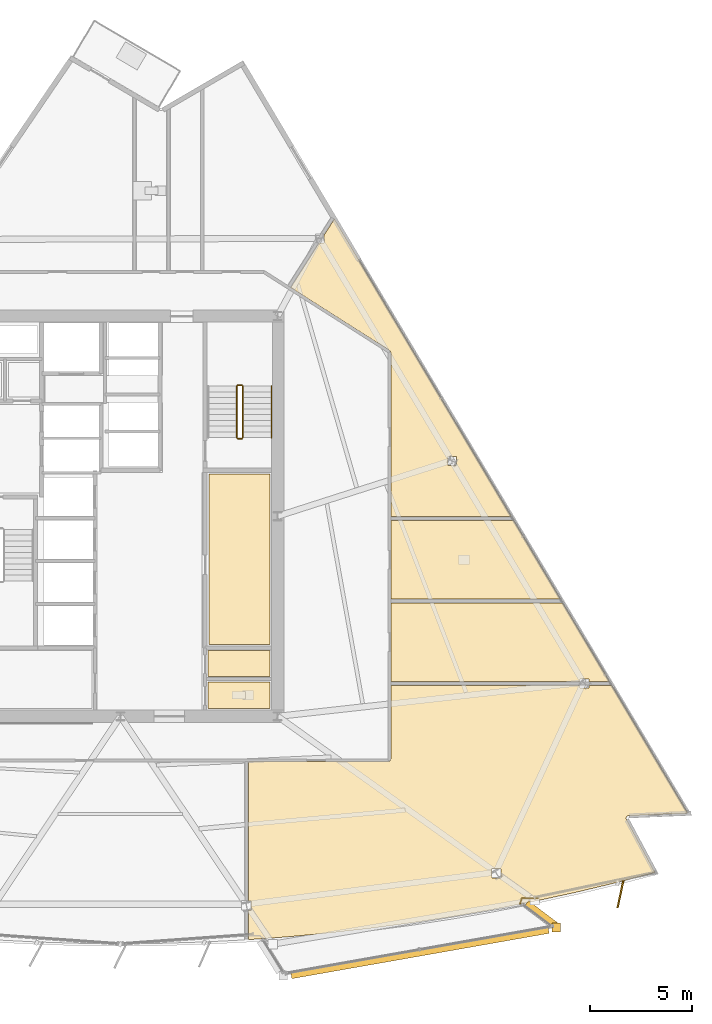
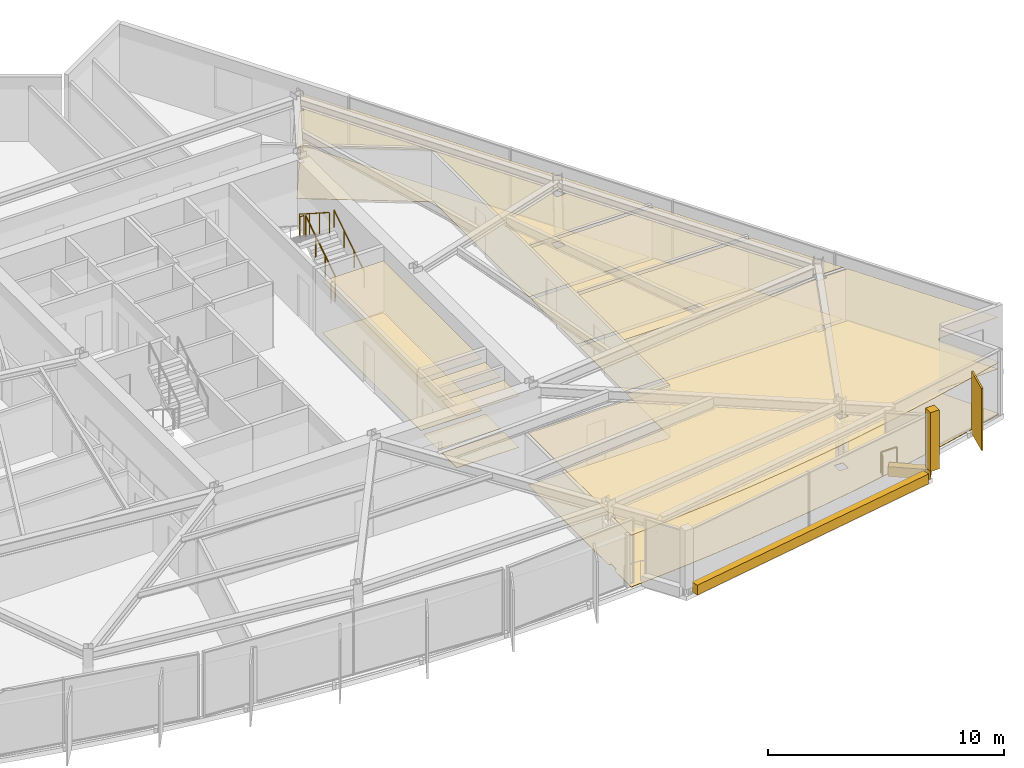
# One storey, part 13 of 15: 17 coverings, 6 railings, 1 shading device.
"""IFC4 building model written with IfcOpenShell, lengths in metres."""

import ifcopenshell
import ifcopenshell.guid

model = None  # the IFC model being written
_history = None  # IfcOwnerHistory: only IFC2X3 demands one
_inside = {}  # id of a spatial element -> (the spatial element, [elements in it])
_under = {}  # id of a project, library or spatial element -> (it, [spatial elements below it])
_declared = {}  # id of a project -> (the project, [libraries it declares])
_typed = {}  # id of a type object -> (the type object, [elements of that type])
_made_of = {}  # id of a material, layer set ... -> (it, [elements and type objects made of it])


def new_model(schema):
    """Start an empty IFC model of exactly this schema.

    Asked for "IFC4X3", IfcOpenShell would pick the latest addendum, in which some entities
    have other attributes; the version numbers below select the first issue.
    IFC2X3 requires an IfcOwnerHistory on every rooted entity: one is made here for all.
    """
    global model, _history
    if schema == "IFC4X3":
        model = ifcopenshell.file(schema_version=(4, 3, 0, 0))
    else:
        model = ifcopenshell.file(schema=schema)
    _inside.clear()
    _under.clear()
    _declared.clear()
    _typed.clear()
    _made_of.clear()
    _history = None
    if model.schema == "IFC2X3":
        org = make("IfcOrganization", Name="unknown")
        user = make(
            "IfcPersonAndOrganization",
            ThePerson=make("IfcPerson", FamilyName="unknown"),
            TheOrganization=org,
        )
        app = make(
            "IfcApplication",
            ApplicationDeveloper=org,
            Version="unknown",
            ApplicationFullName="unknown",
            ApplicationIdentifier="unknown",
        )
        _history = make(
            "IfcOwnerHistory",
            OwningUser=user,
            OwningApplication=app,
            ChangeAction="ADDED",
            CreationDate=0,
        )
    return model


def make(cls, **values):
    """One entity of the class cls with the attributes given. An attribute that is None is left unset."""
    return model.create_entity(
        cls, **{name: value for name, value in values.items() if value is not None}
    )


def rooted(cls, **values):
    """An entity with a GlobalId (a new one), such as an element, a storey or a relation."""
    return make(cls, GlobalId=ifcopenshell.guid.new(), OwnerHistory=_history, **values)


def si_unit(unit_type, name, prefix=None):
    """IfcSIUnit, for example si_unit("LENGTHUNIT", "METRE", prefix="MILLI")."""
    return make("IfcSIUnit", UnitType=unit_type, Prefix=prefix, Name=name)


def assignment(units):
    """IfcUnitAssignment: the units of a project."""
    return None if units is None else make("IfcUnitAssignment", Units=units)


def point(xyz):
    """IfcCartesianPoint."""
    return None if xyz is None else make("IfcCartesianPoint", Coordinates=xyz)


def direction(xyz):
    """IfcDirection."""
    return None if xyz is None else make("IfcDirection", DirectionRatios=xyz)


def frame(location, z_axis=None, x_axis=None):
    """IfcAxis2Placement3D, a coordinate frame: its origin and axes. An axis left out is left unset."""
    return make(
        "IfcAxis2Placement3D",
        Location=point(location),
        Axis=direction(z_axis),
        RefDirection=direction(x_axis),
    )


def frame_2d(location, x_axis=None):
    """IfcAxis2Placement2D, a coordinate frame in the plane: its origin and x axis."""
    return make(
        "IfcAxis2Placement2D", Location=point(location), RefDirection=direction(x_axis)
    )


def origin():
    """The frame at (0, 0, 0) with its axes left unset."""
    return frame((0.0, 0.0, 0.0))


def origin_2d():
    """The frame at (0, 0) in the plane with its x axis left unset."""
    return frame_2d((0.0, 0.0))


def place(relative_to, where):
    """IfcLocalPlacement: puts the frame where relative to a parent placement (None: the world)."""
    return make(
        "IfcLocalPlacement", PlacementRelTo=relative_to, RelativePlacement=where
    )


def context(
    kind, dimensions, precision=None, world=None, true_north=None, identifier=None
):
    """IfcGeometricRepresentationContext, for example the 3D "Model" context."""
    return make(
        "IfcGeometricRepresentationContext",
        ContextIdentifier=identifier,
        ContextType=kind,
        CoordinateSpaceDimension=dimensions,
        Precision=precision,
        WorldCoordinateSystem=world,
        TrueNorth=true_north,
    )


def subcontext(parent, identifier, kind, view, scale=None):
    """IfcGeometricRepresentationSubContext, for example "Body" below "Model"."""
    return make(
        "IfcGeometricRepresentationSubContext",
        ContextIdentifier=identifier,
        ContextType=kind,
        ParentContext=parent,
        TargetScale=scale,
        TargetView=view,
    )


def project(units=None, contexts=None):
    """IfcProject with its units and contexts."""
    return rooted(
        "IfcProject",
        Name="project",
        RepresentationContexts=contexts,
        UnitsInContext=assignment(units),
    )


def spatial(cls, under=None, at=None, **own):
    """A site, building, storey or space (cls), placed at a placement, below another one or the project."""
    s = rooted(cls, ObjectPlacement=at, **own)
    if under is not None:
        _under.setdefault(under.id(), (under, []))[1].append(s)
    return s


def polyline(points):
    """IfcPolyline through the points."""
    return make("IfcPolyline", Points=[point(p) for p in points])


def profile(cls, at=None, kind="AREA", **sizes):
    """A parametric profile (cls). Its sizes go by their IFC names, for example OverallWidth=200.0."""
    return make(cls, ProfileType=kind, Position=at, **sizes)


def rectangle(**sizes):
    """IfcRectangleProfileDef."""
    return profile("IfcRectangleProfileDef", **sizes)


def circle(**sizes):
    """IfcCircleProfileDef."""
    return profile("IfcCircleProfileDef", **sizes)


def outline(outer, holes=None, kind="AREA"):
    """IfcArbitraryClosedProfileDef: a profile drawn as a closed curve; with holes, ...WithVoids."""
    if holes is None:
        return make("IfcArbitraryClosedProfileDef", ProfileType=kind, OuterCurve=outer)
    return make(
        "IfcArbitraryProfileDefWithVoids",
        ProfileType=kind,
        OuterCurve=outer,
        InnerCurves=holes,
    )


def extrude(swept, where, along, depth):
    """IfcExtrudedAreaSolid: the profile swept, set in the frame where, extruded along a direction by depth."""
    return make(
        "IfcExtrudedAreaSolid",
        SweptArea=swept,
        Position=where,
        ExtrudedDirection=direction(along),
        Depth=depth,
    )


def shape(context_of_items, identifier, shape_type, items):
    """IfcShapeRepresentation: the items that make up one representation, for example the "Body"."""
    return make(
        "IfcShapeRepresentation",
        ContextOfItems=context_of_items,
        RepresentationIdentifier=identifier,
        RepresentationType=shape_type,
        Items=items,
    )


def material(Name=None, Category=None):
    """IfcMaterial."""
    return make("IfcMaterial", Name=Name, Category=Category)


def layer(
    of_material, thickness, ventilated=None, Name=None, Category=None, Priority=None
):
    """IfcMaterialLayer: one layer of a wall or slab, of a material (None: an air gap)."""
    return make(
        "IfcMaterialLayer",
        Material=of_material,
        LayerThickness=thickness,
        IsVentilated=ventilated,
        Name=Name,
        Category=Category,
        Priority=Priority,
    )


def layer_set(layers, Name=None):
    """IfcMaterialLayerSet."""
    return make("IfcMaterialLayerSet", MaterialLayers=layers, LayerSetName=Name)


def made_of(thing, what):
    """Note that an element or type object is made of a material, layer set ...; save() writes the relation."""
    if what is not None:
        _made_of.setdefault(what.id(), (what, []))[1].append(thing)
    return thing


def type_object(cls, material=None, **own):
    """A type object (cls), such as IfcWallType, which elements share."""
    return made_of(rooted(cls, **own), material)


def element(
    cls,
    number,
    at=None,
    inside=None,
    cuts=None,
    type_object=None,
    material=None,
    context=None,
    identifier="Body",
    shape_type=None,
    held_by="IfcProductDefinitionShape",
    body=None,
    shapes=None,
    **own,
):
    """One element of the class cls, such as IfcWall. Its Tag is "e" and its number.

    at: its placement. inside: the storey or other place that contains it. cuts: it is an
    opening in that element (IfcRelVoidsElement). A single representation is given by context,
    identifier, shape_type and body (its items); several are given by shapes. held_by: the class
    of the entity that holds the representations. save() writes the other relations.
    """
    e = rooted(cls, Tag="e%d" % number, ObjectPlacement=at, **own)
    if body is not None:
        shapes = [shape(context, identifier, shape_type, body)]
    if shapes is not None:
        e.Representation = make(held_by, Representations=shapes)
    if inside is not None:
        _inside.setdefault(inside.id(), (inside, []))[1].append(e)
    if cuts is not None:
        rooted(
            "IfcRelVoidsElement", RelatingBuildingElement=cuts, RelatedOpeningElement=e
        )
    if type_object is not None:
        _typed.setdefault(type_object.id(), (type_object, []))[1].append(e)
    return made_of(e, material)


def aggregate(whole, parts):
    """IfcRelAggregates: a whole, such as a stair, and the parts it consists of."""
    return rooted("IfcRelAggregates", RelatingObject=whole, RelatedObjects=parts)


def save(model, path):
    """Write the relations noted so far, then the file.

    IfcRelAggregates (storeys below a building ...), IfcRelContainedInSpatialStructure (elements
    in a storey), IfcRelDefinesByType, IfcRelAssociatesMaterial and IfcRelDeclares: one each for
    every whole, place, type object, material and project.
    """
    for whole, parts in _under.values():
        aggregate(whole, parts)
    for where, things in _inside.values():
        rooted(
            "IfcRelContainedInSpatialStructure",
            RelatedElements=things,
            RelatingStructure=where,
        )
    for kind, things in _typed.values():
        rooted("IfcRelDefinesByType", RelatedObjects=things, RelatingType=kind)
    for what, things in _made_of.values():
        rooted("IfcRelAssociatesMaterial", RelatedObjects=things, RelatingMaterial=what)
    for by, libraries in _declared.values():
        rooted("IfcRelDeclares", RelatingContext=by, RelatedDefinitions=libraries)
    model.write(path)


model = new_model("IFC4")

# Units and contexts
model_context = context("Model", 3, precision=1e-05, world=origin(), true_north=direction((0.0, 1.0)))
body_context = subcontext(model_context, "Body", "Model", "MODEL_VIEW")
ifc_project = project(units=[si_unit("LENGTHUNIT", "METRE"), si_unit("AREAUNIT", "SQUARE_METRE"), si_unit("VOLUMEUNIT", "CUBIC_METRE"), si_unit("PLANEANGLEUNIT", "RADIAN"), si_unit("MASSUNIT", "GRAM", prefix="KILO")], contexts=[model_context])

# Site, building, storey
site_placement = place(None, origin())
site = spatial("IfcSite", under=ifc_project, at=site_placement, CompositionType="ELEMENT")
building_placement = place(site_placement, origin())
building = spatial("IfcBuilding", under=site, at=building_placement, Name="Savorim Split Tower", CompositionType="ELEMENT")
storey_placement = place(building_placement, frame((0.0, 0.0, 122.10009765625)))
storey = spatial("IfcBuildingStorey", under=building, at=storey_placement, Name="L32", CompositionType="ELEMENT", Elevation=122.10009765625)

# Coverings
ifc_material_1 = material(Name="Mineral Fibre Acoustic Ceiling")
ifc_layer_1 = layer(ifc_material_1, 0.02490234375)
ifc_layer_set_1 = layer_set([ifc_layer_1], Name="COV-CEIL-25")
covering_type_1 = type_object("IfcCoveringType", Name="COV-CEIL-25", PredefinedType="CEILING", material=ifc_layer_set_1)
covering_1_placement = place(storey_placement, frame((0.0, 0.0, 2.669921875)))
element("IfcCovering", 1, at=covering_1_placement, inside=storey, type_object=covering_type_1, Name="L32 Quiet Study Room Acoustic Ceiling", PredefinedType="CEILING", context=body_context, shape_type="SweptSolid", body=[
    extrude(outline(polyline([(4.330078125, 2.469970703125), (4.330078125, -5.8701171875), (7.320068359375, -5.8701171875), (7.320068359375, 2.469970703125), (4.330078125, 2.469970703125)])), origin(), (0.0, 0.0, 1.0), 0.02490234375),
])
covering_2_placement = place(storey_placement, frame((0.0, 0.0, 2.669921875)))
element("IfcCovering", 2, at=covering_2_placement, inside=storey, type_object=covering_type_1, Name="L32 Accessible WC Acoustic Ceiling", PredefinedType="CEILING", context=body_context, shape_type="SweptSolid", body=[
    extrude(outline(polyline([(4.280029296875, -7.719970703125), (4.280029296875, -9.02001953125), (7.320068359375, -9.02001953125), (7.320068359375, -7.719970703125), (4.280029296875, -7.719970703125)])), origin(), (0.0, 0.0, 1.0), 0.02490234375),
])
covering_3_placement = place(storey_placement, frame((0.0, 0.0, 2.669921875)))
element("IfcCovering", 3, at=covering_3_placement, inside=storey, type_object=covering_type_1, Name="L32 Cleaning Store Acoustic Ceiling", PredefinedType="CEILING", context=body_context, shape_type="SweptSolid", body=[
    extrude(outline(polyline([(4.280029296875, -6.179931640625), (4.280029296875, -7.43994140625), (7.320068359375, -7.43994140625), (7.320068359375, -6.179931640625), (4.280029296875, -6.179931640625)])), origin(), (0.0, 0.0, 1.0), 0.02490234375),
])
covering_4_placement = place(storey_placement, frame((0.0, 0.0, 2.669921875)))
element("IfcCovering", 4, at=covering_4_placement, inside=storey, type_object=covering_type_1, Name="L32 Maker Workshop Acoustic Ceiling", PredefinedType="CEILING", context=body_context, shape_type="SweptSolid", body=[
    extrude(outline(polyline([(24.857421875, -14.2685546875), (24.86865234375, -14.2666015625), (24.880126953125, -14.265380859375), (27.78271484375, -14.141845703125), (24.037841796875, -7.84423828125), (24.037841796875, -7.877197265625), (22.935302734375, -7.877197265625), (22.935302734375, -8.000244140625), (22.50927734375, -8.000244140625), (22.50927734375, -7.877197265625), (13.239990234375, -7.877197265625), (13.239990234375, -11.47998046875), (13.2392578125, -11.49365234375), (13.2373046875, -11.50732421875), (13.23388671875, -11.5205078125), (13.229248046875, -11.53369140625), (13.223388671875, -11.5458984375), (13.21630859375, -11.557861328125), (13.208251953125, -11.56884765625), (13.198974609375, -11.5791015625), (13.188720703125, -11.588134765625), (13.177734375, -11.596435546875), (13.166015625, -11.603515625), (13.153564453125, -11.609375), (13.140625, -11.614013671875), (13.127197265625, -11.6171875), (13.11376953125, -11.619384765625), (13.10009765625, -11.6201171875), (6.26708984375, -11.6201171875), (6.26708984375, -18.447021484375), (6.38525390625, -18.447021484375), (6.38525390625, -18.883056640625), (6.26708984375, -18.883056640625), (6.26708984375, -20.290283203125), (6.26708984375, -20.333740234375), (8.186767578125, -20.196044921875), (10.22705078125, -20.007568359375), (12.262939453125, -19.77734375), (14.2939453125, -19.505615234375), (16.318603515625, -19.1923828125), (18.336669921875, -18.837890625), (20.34716796875, -18.44189453125), (22.348876953125, -18.005126953125), (24.34130859375, -17.52734375), (26.177490234375, -17.04736328125), (24.779541015625, -14.44189453125), (24.7744140625, -14.431640625), (24.7705078125, -14.4208984375), (24.767578125, -14.40966796875), (24.765869140625, -14.398193359375), (24.76513671875, -14.38671875), (24.765625, -14.375), (24.76708984375, -14.36376953125), (24.769775390625, -14.352294921875), (24.7734375, -14.341552734375), (24.7783203125, -14.3310546875), (24.783935546875, -14.32080078125), (24.79052734375, -14.3115234375), (24.798095703125, -14.302734375), (24.806396484375, -14.294921875), (24.8154296875, -14.28759765625), (24.8251953125, -14.281494140625), (24.83544921875, -14.276123046875), (24.84619140625, -14.271728515625), (24.857421875, -14.2685546875)]), holes=[polyline([(18.62890625, -17.311279296875), (18.62890625, -16.875244140625), (18.202880859375, -16.875244140625), (18.202880859375, -17.311279296875), (18.62890625, -17.311279296875)])]), origin(), (0.0, 0.0, 1.0), 0.02490234375),
])
covering_5_placement = place(storey_placement, frame((0.0, 0.0, 2.669921875)))
element("IfcCovering", 5, at=covering_5_placement, inside=storey, type_object=covering_type_1, Name="L32 Communal Lounge Acoustic Ceiling", PredefinedType="CEILING", context=body_context, shape_type="SweptSolid", body=[
    extrude(outline(polyline([(22.935302734375, -7.564208984375), (22.935302734375, -7.687255859375), (23.94287109375, -7.687255859375), (23.944580078125, -7.687255859375), (21.660400390625, -3.845703125), (13.239990234375, -3.845703125), (13.239990234375, -7.687255859375), (22.50927734375, -7.687255859375), (22.50927734375, -7.564208984375), (22.935302734375, -7.564208984375)])), origin(), (0.0, 0.0, 1.0), 0.02490234375),
])
covering_6_placement = place(storey_placement, frame((0.0, 0.0, 2.669921875)))
element("IfcCovering", 6, at=covering_6_placement, inside=storey, type_object=covering_type_1, Name="L32 Community Laundry Room Acoustic Ceiling", PredefinedType="CEILING", context=body_context, shape_type="SweptSolid", body=[
    extrude(outline(polyline([(21.54736328125, -3.65576171875), (19.262939453125, 0.18603515625), (13.239990234375, 0.18603515625), (13.239990234375, -3.655517578125), (21.54736328125, -3.65576171875)])), origin(), (0.0, 0.0, 1.0), 0.02490234375),
])
covering_7_placement = place(storey_placement, frame((0.0, 0.0, 2.669921875)))
element("IfcCovering", 7, at=covering_7_placement, inside=storey, type_object=covering_type_1, Name="L32 Co-Working Commons Acoustic Ceiling", PredefinedType="CEILING", context=body_context, shape_type="SweptSolid", body=[
    extrude(outline(polyline([(13.2373046875, 8.427978515625), (13.2392578125, 8.4140625), (13.239990234375, 8.39990234375), (13.239990234375, 0.3759765625), (19.14990234375, 0.3759765625), (10.48095703125, 14.955322265625), (9.978515625, 14.16552734375), (9.978515625, 13.789794921875), (9.739501953125, 13.789794921875), (8.341796875, 11.59228515625), (8.341796875, 11.59228515625), (13.175048828125, 8.51806640625), (13.1865234375, 8.510009765625), (13.197265625, 8.500732421875), (13.206787109375, 8.490478515625), (13.21533203125, 8.479248046875), (13.22265625, 8.46728515625), (13.22900390625, 8.45458984375), (13.233642578125, 8.44140625), (13.2373046875, 8.427978515625)]), holes=[polyline([(16.456787109375, 2.894775390625), (16.456787109375, 3.330810546875), (16.031005859375, 3.330810546875), (16.031005859375, 2.894775390625), (16.456787109375, 2.894775390625)])]), origin(), (0.0, 0.0, 1.0), 0.02490234375),
])
ifc_material_2 = material(Name="Porcelain Stoneware Flooring", Category="masonry")
ifc_layer_2 = layer(ifc_material_2, 0.02001953125)
ifc_layer_set_2 = layer_set([ifc_layer_2], Name="COV-FLOR-20")
covering_type_2 = type_object("IfcCoveringType", Name="COV-FLOR-20", PredefinedType="FLOORING", material=ifc_layer_set_2)
covering_8_placement = place(storey_placement, origin())
element("IfcCovering", 8, at=covering_8_placement, inside=storey, type_object=covering_type_2, Name="L32 Quiet Study Room Porcelain Flooring", PredefinedType="FLOORING", context=body_context, shape_type="SweptSolid", body=[
    extrude(outline(polyline([(4.330078125, 2.469970703125), (4.330078125, -5.8701171875), (7.320068359375, -5.8701171875), (7.320068359375, 2.469970703125), (4.330078125, 2.469970703125)])), origin(), (0.0, 0.0, 1.0), 0.02001953125),
])
covering_9_placement = place(storey_placement, origin())
element("IfcCovering", 9, at=covering_9_placement, inside=storey, type_object=covering_type_2, Name="L32 Accessible WC Porcelain Flooring", PredefinedType="FLOORING", context=body_context, shape_type="SweptSolid", body=[
    extrude(outline(polyline([(4.280029296875, -7.719970703125), (4.280029296875, -9.02001953125), (7.320068359375, -9.02001953125), (7.320068359375, -7.719970703125), (4.280029296875, -7.719970703125)])), origin(), (0.0, 0.0, 1.0), 0.02001953125),
])
covering_10_placement = place(storey_placement, origin())
element("IfcCovering", 10, at=covering_10_placement, inside=storey, type_object=covering_type_2, Name="L32 Cleaning Store Porcelain Flooring", PredefinedType="FLOORING", context=body_context, shape_type="SweptSolid", body=[
    extrude(outline(polyline([(4.280029296875, -6.179931640625), (4.280029296875, -7.43994140625), (7.320068359375, -7.43994140625), (7.320068359375, -6.179931640625), (4.280029296875, -6.179931640625)])), origin(), (0.0, 0.0, 1.0), 0.02001953125),
])
covering_11_placement = place(storey_placement, origin())
element("IfcCovering", 11, at=covering_11_placement, inside=storey, type_object=covering_type_2, Name="L32 Maker Workshop Porcelain Flooring", PredefinedType="FLOORING", context=body_context, shape_type="SweptSolid", body=[
    extrude(outline(polyline([(24.857421875, -14.2685546875), (24.86865234375, -14.2666015625), (24.880126953125, -14.265380859375), (27.78271484375, -14.141845703125), (24.037841796875, -7.84423828125), (24.037841796875, -7.877197265625), (22.935302734375, -7.877197265625), (22.935302734375, -8.000244140625), (22.50927734375, -8.000244140625), (22.50927734375, -7.877197265625), (13.239990234375, -7.877197265625), (13.239990234375, -11.47998046875), (13.2392578125, -11.49365234375), (13.2373046875, -11.50732421875), (13.23388671875, -11.5205078125), (13.229248046875, -11.53369140625), (13.223388671875, -11.5458984375), (13.21630859375, -11.557861328125), (13.208251953125, -11.56884765625), (13.198974609375, -11.5791015625), (13.188720703125, -11.588134765625), (13.177734375, -11.596435546875), (13.166015625, -11.603515625), (13.153564453125, -11.609375), (13.140625, -11.614013671875), (13.127197265625, -11.6171875), (13.11376953125, -11.619384765625), (13.10009765625, -11.6201171875), (6.26708984375, -11.6201171875), (6.26708984375, -18.447021484375), (6.38525390625, -18.447021484375), (6.38525390625, -18.883056640625), (6.26708984375, -18.883056640625), (6.26708984375, -20.290283203125), (6.26708984375, -20.333740234375), (8.186767578125, -20.196044921875), (10.22705078125, -20.007568359375), (12.262939453125, -19.77734375), (14.2939453125, -19.505615234375), (16.318603515625, -19.1923828125), (18.336669921875, -18.837890625), (20.34716796875, -18.44189453125), (22.348876953125, -18.005126953125), (24.34130859375, -17.52734375), (26.177490234375, -17.04736328125), (24.779541015625, -14.44189453125), (24.7744140625, -14.431640625), (24.7705078125, -14.4208984375), (24.767578125, -14.40966796875), (24.765869140625, -14.398193359375), (24.76513671875, -14.38671875), (24.765625, -14.375), (24.76708984375, -14.36376953125), (24.769775390625, -14.352294921875), (24.7734375, -14.341552734375), (24.7783203125, -14.3310546875), (24.783935546875, -14.32080078125), (24.79052734375, -14.3115234375), (24.798095703125, -14.302734375), (24.806396484375, -14.294921875), (24.8154296875, -14.28759765625), (24.8251953125, -14.281494140625), (24.83544921875, -14.276123046875), (24.84619140625, -14.271728515625), (24.857421875, -14.2685546875)]), holes=[polyline([(18.62890625, -17.311279296875), (18.62890625, -16.875244140625), (18.202880859375, -16.875244140625), (18.202880859375, -17.311279296875), (18.62890625, -17.311279296875)])]), origin(), (0.0, 0.0, 1.0), 0.02001953125),
])
covering_12_placement = place(storey_placement, origin())
element("IfcCovering", 12, at=covering_12_placement, inside=storey, type_object=covering_type_2, Name="L32 Communal Lounge Porcelain Flooring", PredefinedType="FLOORING", context=body_context, shape_type="SweptSolid", body=[
    extrude(outline(polyline([(22.935302734375, -7.564208984375), (22.935302734375, -7.687255859375), (23.94287109375, -7.687255859375), (23.944580078125, -7.687255859375), (21.660400390625, -3.845703125), (13.239990234375, -3.845703125), (13.239990234375, -7.687255859375), (22.50927734375, -7.687255859375), (22.50927734375, -7.564208984375), (22.935302734375, -7.564208984375)])), origin(), (0.0, 0.0, 1.0), 0.02001953125),
])
covering_13_placement = place(storey_placement, origin())
element("IfcCovering", 13, at=covering_13_placement, inside=storey, type_object=covering_type_2, Name="L32 Community Laundry Room Porcelain Flooring", PredefinedType="FLOORING", context=body_context, shape_type="SweptSolid", body=[
    extrude(outline(polyline([(21.54736328125, -3.65576171875), (19.262939453125, 0.18603515625), (13.239990234375, 0.18603515625), (13.239990234375, -3.655517578125), (21.54736328125, -3.65576171875)])), origin(), (0.0, 0.0, 1.0), 0.02001953125),
])
covering_14_placement = place(storey_placement, origin())
element("IfcCovering", 14, at=covering_14_placement, inside=storey, type_object=covering_type_2, Name="L32 Co-Working Commons Porcelain Flooring", PredefinedType="FLOORING", context=body_context, shape_type="SweptSolid", body=[
    extrude(outline(polyline([(13.2373046875, 8.427978515625), (13.2392578125, 8.4140625), (13.239990234375, 8.39990234375), (13.239990234375, 0.3759765625), (19.14990234375, 0.3759765625), (10.48095703125, 14.955322265625), (9.978515625, 14.16552734375), (9.978515625, 13.789794921875), (9.739501953125, 13.789794921875), (8.341796875, 11.59228515625), (8.341796875, 11.59228515625), (13.175048828125, 8.51806640625), (13.1865234375, 8.510009765625), (13.197265625, 8.500732421875), (13.206787109375, 8.490478515625), (13.21533203125, 8.479248046875), (13.22265625, 8.46728515625), (13.22900390625, 8.45458984375), (13.233642578125, 8.44140625), (13.2373046875, 8.427978515625)]), holes=[polyline([(16.456787109375, 2.894775390625), (16.456787109375, 3.330810546875), (16.031005859375, 3.330810546875), (16.031005859375, 2.894775390625), (16.456787109375, 2.894775390625)])]), origin(), (0.0, 0.0, 1.0), 0.02001953125),
])
ifc_material_3 = material(Name="White Porcelain Architectural Cladding")
ifc_layer_3 = layer(ifc_material_3, 0.139892578125)
ifc_layer_set_3 = layer_set([ifc_layer_3], Name="COV-FRM-WHITE")
covering_type_3 = type_object("IfcCoveringType", Name="COV-FRM-WHITE", PredefinedType="CLADDING", material=ifc_layer_set_3)
covering_15_placement = place(storey_placement, frame((0.0, 0.0, 0.010009765625)))
element("IfcCovering", 15, at=covering_15_placement, inside=storey, type_object=covering_type_3, Name="L32 Cantilevered Lounge White Lower Frame Band F", PredefinedType="CLADDING", context=body_context, shape_type="SweptSolid", body=[
    extrude(outline(polyline([(8.399169921875, -22.24658203125), (20.9951171875, -20.02490234375), (20.93603515625, -19.690185546875), (8.340087890625, -21.911865234375), (8.399169921875, -22.24658203125)])), origin(), (0.0, 0.0, 1.0), 0.510009765625),
])
covering_16_placement = place(storey_placement, frame((0.0, 0.0, 0.010009765625)))
element("IfcCovering", 16, at=covering_16_placement, inside=storey, type_object=covering_type_3, Name="L32 Cantilevered Lounge White Lower Frame Band E", PredefinedType="CLADDING", context=body_context, shape_type="SweptSolid", body=[
    extrude(outline(polyline([(21.419677734375, -19.51513671875), (19.98486328125, -18.428466796875), (19.779541015625, -18.699462890625), (21.214599609375, -19.7861328125), (21.419677734375, -19.51513671875)])), origin(), (0.0, 0.0, 1.0), 0.510009765625),
])
covering_17_placement = place(storey_placement, frame((0.0, 0.0, 0.539794921875)))
element("IfcCovering", 17, at=covering_17_placement, inside=storey, type_object=covering_type_3, Name="L32 Cantilevered Lounge White Frame Corner Post 2", PredefinedType="CLADDING", context=body_context, shape_type="SweptSolid", body=[
    extrude(outline(polyline([(21.140625, -19.94873046875), (21.560791015625, -19.94873046875), (21.560791015625, -19.52880859375), (21.140625, -19.52880859375), (21.140625, -19.94873046875)])), origin(), (0.0, 0.0, 1.0), 3.050048828125),
])

# Railings
ifc_material_4 = material(Name="Galvanised Painted Steel Balustrade", Category="steel")
railing_type_1 = type_object("IfcRailingType", Name="RLG-BAL-1100", PredefinedType="BALUSTRADE", material=ifc_material_4)
railing_1_placement = place(storey_placement, frame((19.564208984375, -18.5869140625, 0.0)))
element("IfcRailing", 18, at=railing_1_placement, inside=storey, type_object=railing_type_1, Name="L32 Cantilevered Lounge East Edge Closure Guard", PredefinedType="BALUSTRADE", context=body_context, shape_type="SweptSolid", body=[
    extrude(circle(Radius=0.02392578125, at=origin_2d()), frame((0.0, 0.0, 1.076171875), z_axis=(0.327651820851, 0.944798541644, 0.0), x_axis=(-0.944798541644, 0.327651820851, 0.0)), (0.0, 0.0, 1.0), 0.29443359375),
    extrude(circle(Radius=0.02392578125, at=origin_2d()), frame((0.096435546875, 0.278076171875, 1.076171875), z_axis=(1.0, 0.0, 0.0), x_axis=(0.0, 1.0, 0.0)), (0.0, 0.0, 1.0), 0.780029296875),
    extrude(circle(Radius=0.02099609375, at=origin_2d()), origin(), (0.0, 0.0, 1.0), 1.052001953125),
    extrude(circle(Radius=0.02099609375, at=origin_2d()), frame((0.096435546875, 0.278076171875, 0.0)), (0.0, 0.0, 1.0), 1.052001953125),
    extrude(circle(Radius=0.02099609375, at=origin_2d()), frame((0.87646484375, 0.278076171875, 0.0)), (0.0, 0.0, 1.0), 1.052001953125),
])
railing_type_2 = type_object("IfcRailingType", Name="RLG-HR-900", PredefinedType="HANDRAIL", material=ifc_material_4)
railing_2_placement = place(storey_placement, frame((7.39990234375, 4.25, 0.179931640625)))
element("IfcRailing", 19, at=railing_2_placement, inside=storey, type_object=railing_type_2, Name="L32 ST-2 stair handrail 1", PredefinedType="HANDRAIL", context=body_context, shape_type="SweptSolid", body=[
    extrude(circle(Radius=0.02392578125, at=origin_2d()), frame((0.0, 0.0, 0.8759765625), z_axis=(0.0, 0.841199657755, 0.540724639528), x_axis=(-1.0, 0.0, 0.0)), (0.0, 0.0, 1.0), 2.995849609375),
    extrude(circle(Radius=0.02099609375, at=origin_2d()), origin(), (0.0, 0.0, 1.0), 0.851806640625),
    extrude(circle(Radius=0.02099609375, at=origin_2d()), frame((0.0, 0.840087890625, 0.5400390625)), (0.0, 0.0, 1.0), 0.851806640625),
    extrude(circle(Radius=0.02099609375, at=origin_2d()), frame((0.0, 1.679931640625, 1.079833984375)), (0.0, 0.0, 1.0), 0.851806640625),
    extrude(circle(Radius=0.02099609375, at=origin_2d()), frame((0.0, 2.52001953125, 1.619873046875)), (0.0, 0.0, 1.0), 0.851806640625),
])
railing_type_3 = type_object("IfcRailingType", Name="RLG-STG-1100", PredefinedType="BALUSTRADE", material=ifc_material_4)
railing_3_placement = place(storey_placement, frame((6.0, 4.25, 0.179931640625)))
element("IfcRailing", 20, at=railing_3_placement, inside=storey, type_object=railing_type_3, Name="L32 ST-2 stair guard 1", PredefinedType="BALUSTRADE", context=body_context, shape_type="SweptSolid", body=[
    extrude(circle(Radius=0.02392578125, at=origin_2d()), frame((0.0, 0.0, 1.076171875), z_axis=(0.0, 0.841199657755, 0.540724639528), x_axis=(-1.0, 0.0, 0.0)), (0.0, 0.0, 1.0), 2.995849609375),
    extrude(circle(Radius=0.02099609375, at=origin_2d()), origin(), (0.0, 0.0, 1.0), 1.052001953125),
    extrude(circle(Radius=0.02099609375, at=origin_2d()), frame((0.0, 0.840087890625, 0.5400390625)), (0.0, 0.0, 1.0), 1.052001953125),
    extrude(circle(Radius=0.02099609375, at=origin_2d()), frame((0.0, 1.679931640625, 1.079833984375)), (0.0, 0.0, 1.0), 1.052001953125),
    extrude(circle(Radius=0.02099609375, at=origin_2d()), frame((0.0, 2.52001953125, 1.619873046875)), (0.0, 0.0, 1.0), 1.052001953125),
])
railing_4_placement = place(storey_placement, frame((5.949951171875, 6.820068359375, 1.7998046875)))
element("IfcRailing", 21, at=railing_4_placement, inside=storey, type_object=railing_type_3, Name="L32 ST-2 stair guard 2", PredefinedType="BALUSTRADE", context=body_context, shape_type="SweptSolid", body=[
    extrude(circle(Radius=0.02392578125, at=origin_2d()), frame((0.0, 0.0, 1.076171875), z_axis=(-1.0, 0.0, 0.0), x_axis=(0.0, -1.0, 0.0)), (0.0, 0.0, 1.0), 0.199951171875),
    extrude(circle(Radius=0.02099609375, at=origin_2d()), origin(), (0.0, 0.0, 1.0), 1.052001953125),
    extrude(circle(Radius=0.02099609375, at=origin_2d()), frame((-0.199951171875, 0.0, 0.0)), (0.0, 0.0, 1.0), 1.052001953125),
])
railing_5_placement = place(storey_placement, frame((5.699951171875, 6.77001953125, 1.97998046875)))
element("IfcRailing", 22, at=railing_5_placement, inside=storey, type_object=railing_type_3, Name="L32 ST-2 stair guard 3", PredefinedType="BALUSTRADE", context=body_context, shape_type="SweptSolid", body=[
    extrude(circle(Radius=0.02392578125, at=origin_2d()), frame((0.0, 0.0, 1.076171875), z_axis=(0.0, -0.841199657755, 0.540724639528), x_axis=(1.0, 0.0, 0.0)), (0.0, 0.0, 1.0), 2.995849609375),
    extrude(circle(Radius=0.02099609375, at=origin_2d()), origin(), (0.0, 0.0, 1.0), 1.052001953125),
    extrude(circle(Radius=0.02099609375, at=origin_2d()), frame((0.0, -0.840087890625, 0.5400390625)), (0.0, 0.0, 1.0), 1.052001953125),
    extrude(circle(Radius=0.02099609375, at=origin_2d()), frame((0.0, -1.679931640625, 1.079833984375)), (0.0, 0.0, 1.0), 1.052001953125),
    extrude(circle(Radius=0.02099609375, at=origin_2d()), frame((0.0, -2.52001953125, 1.619873046875)), (0.0, 0.0, 1.0), 1.052001953125),
])
railing_6_placement = place(storey_placement, frame((5.949951171875, 4.199951171875, 0.0)))
element("IfcRailing", 23, at=railing_6_placement, inside=storey, type_object=railing_type_3, Name="L32 ST-2 stair guard 4", PredefinedType="BALUSTRADE", context=body_context, shape_type="SweptSolid", body=[
    extrude(circle(Radius=0.02392578125, at=origin_2d()), frame((0.0, 0.0, 1.076171875), z_axis=(-1.0, 0.0, 0.0), x_axis=(0.0, -1.0, 0.0)), (0.0, 0.0, 1.0), 0.199951171875),
    extrude(circle(Radius=0.02099609375, at=origin_2d()), origin(), (0.0, 0.0, 1.0), 1.052001953125),
    extrude(circle(Radius=0.02099609375, at=origin_2d()), frame((-0.199951171875, 0.0, 0.0)), (0.0, 0.0, 1.0), 1.052001953125),
])

# Shading device
ifc_material_5 = material(Name="Terracotta Ceramic-Coated Aluminium Fin", Category="masonry")
shading_device_type = type_object("IfcShadingDeviceType", Name="SHD-FIN-1360", PredefinedType="USERDEFINED", material=ifc_material_5)
shading_device_placement = place(storey_placement, frame((24.486328125, -18.105712890625, -0.2001953125), z_axis=(0.0, 0.0, 1.0), x_axis=(-0.206721626106, -0.978399800337, 0.0)))
element("IfcShadingDevice", 24, at=shading_device_placement, inside=storey, type_object=shading_device_type, Name="L32 Sawtooth Shading Fin 13", ObjectType="FIN", PredefinedType="USERDEFINED", context=body_context, shape_type="SweptSolid", body=[
    extrude(rectangle(XDim=1.360107421875, YDim=0.080078125, at=origin_2d()), origin(), (0.0, 0.0, 1.0), 3.199951171875),
])

save(model, "model.ifc")
